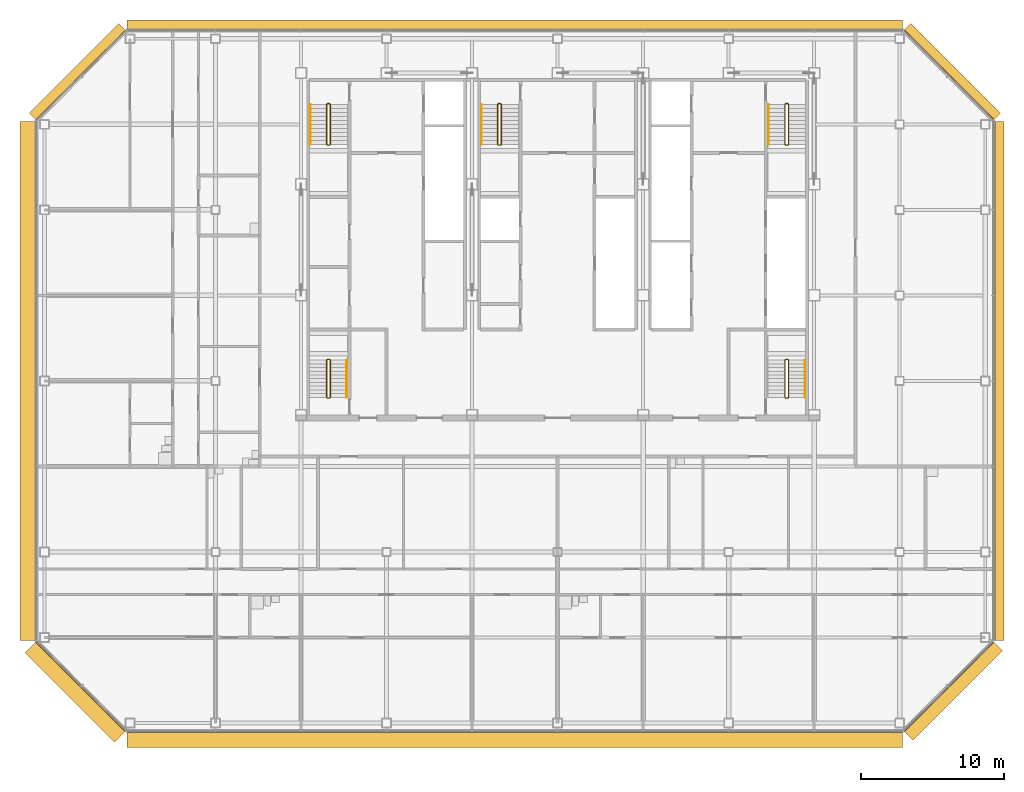
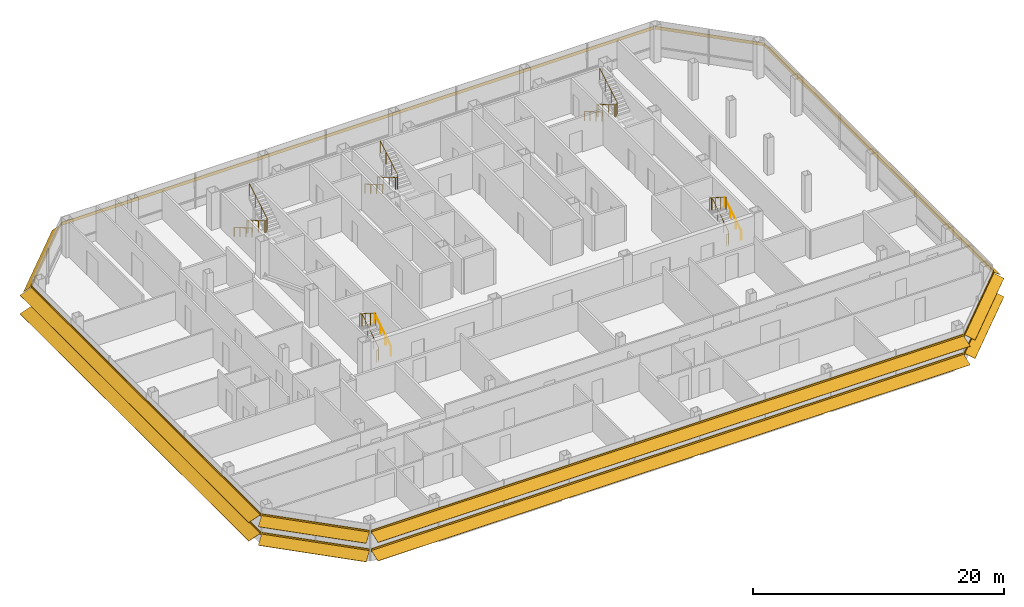
# One storey, part 25 of 26: 10 railings, 8 shading devices.
"""IFC4 building model written with IfcOpenShell, lengths in metres."""

from ifc_helpers import new_model, si_unit, direction, frame, origin, origin_2d, place, context, subcontext, project, spatial, polyline, circle, outline, composite_profile, extrude, material, type_object, element, save


model = new_model("IFC4")

# Units and contexts
model_context = context("Model", 3, precision=1e-05, world=origin(), true_north=direction((0.0, 1.0)))
body_context = subcontext(model_context, "Body", "Model", "MODEL_VIEW")
ifc_project = project(units=[si_unit("LENGTHUNIT", "METRE"), si_unit("AREAUNIT", "SQUARE_METRE"), si_unit("VOLUMEUNIT", "CUBIC_METRE"), si_unit("PLANEANGLEUNIT", "RADIAN"), si_unit("MASSUNIT", "GRAM", prefix="KILO")], contexts=[model_context])

# Site, building, storey
site_placement = place(None, origin())
site = spatial("IfcSite", under=ifc_project, at=site_placement, CompositionType="ELEMENT")
building_placement = place(site_placement, origin())
building = spatial("IfcBuilding", under=site, at=building_placement, Name="Sorahane Residences", CompositionType="ELEMENT")
storey_placement = place(building_placement, frame((0.0, 0.0, 219.0)))
storey = spatial("IfcBuildingStorey", under=building, at=storey_placement, Name="L51", CompositionType="ELEMENT", Elevation=219.0)

# Shading devices
ifc_material_1 = material(Name="Terracotta anodised aluminium", Category="masonry")
shading_device_type_1 = type_object("IfcShadingDeviceType", Name="Louvre sunshade blade E terracotta aluminium 700", PredefinedType="JALOUSIE", material=ifc_material_1)
shading_device_1_placement = place(storey_placement, frame((54.60009765625, 5.801513671875, 2.699951171875), z_axis=(0.0, 1.0, 0.0), x_axis=(-1.0, 0.0, 0.0)))
element("IfcShadingDevice", 1, at=shading_device_1_placement, inside=storey, type_object=shading_device_type_1, Name="Louvre sunshade blade bank E L51 E1", PredefinedType="JALOUSIE", context=body_context, shape_type="SweptSolid", body=[
    extrude(outline(polyline([(-0.719970703125, -0.49365234375), (-0.719970703125, -0.523681640625), (-0.080078125, -0.05859375), (-0.080078125, -0.14990234375), (-0.02001953125, -0.14990234375), (-0.02001953125, -0.014892578125), (-0.02001953125, 0.014892578125), (-0.02001953125, 0.14990234375), (-0.080078125, 0.14990234375), (-0.080078125, -0.028564453125), (-0.719970703125, -0.49365234375)])), origin(), (0.0, 0.0, 1.0), 36.39697265625),
])
ifc_material_2 = material(Name="Terracotta anodised aluminium", Category="masonry")
shading_device_type_2 = type_object("IfcShadingDeviceType", Name="Louvre sunshade blade N terracotta aluminium 700", PredefinedType="JALOUSIE", material=ifc_material_2)
shading_device_2_placement = place(storey_placement, frame((48.198486328125, 48.60009765625, 2.699951171875), z_axis=(-1.0, 0.0, 0.0), x_axis=(0.0, -1.0, 0.0)))
element("IfcShadingDevice", 2, at=shading_device_2_placement, inside=storey, type_object=shading_device_type_2, Name="Louvre sunshade blade bank N L51 N1", PredefinedType="JALOUSIE", context=body_context, shape_type="SweptSolid", body=[
    extrude(outline(polyline([(-0.719970703125, -0.660888671875), (-0.719970703125, -0.69091796875), (-0.080078125, -0.072998046875), (-0.080078125, -0.14990234375), (-0.02001953125, -0.14990234375), (-0.02001953125, -0.014892578125), (-0.02001953125, 0.014892578125), (-0.02001953125, 0.14990234375), (-0.080078125, 0.14990234375), (-0.080078125, -0.04296875), (-0.719970703125, -0.660888671875)])), origin(), (0.0, 0.0, 1.0), 54.39697265625),
])
ifc_material_3 = material(Name="Terracotta anodised aluminium", Category="masonry")
shading_device_type_3 = type_object("IfcShadingDeviceType", Name="Louvre sunshade blade NE terracotta aluminium 700", PredefinedType="JALOUSIE", material=ifc_material_3)
shading_device_3_placement = place(storey_placement, frame((54.564697265625, 42.283935546875, 2.699951171875), z_axis=(-0.707106781187, 0.707106781187, 0.0), x_axis=(-0.707106781187, -0.707106781187, 0.0)))
element("IfcShadingDevice", 3, at=shading_device_3_placement, inside=storey, type_object=shading_device_type_3, Name="Louvre sunshade blade bank NE L51 NE1", PredefinedType="JALOUSIE", context=body_context, shape_type="SweptSolid", body=[
    extrude(outline(polyline([(-0.719970703125, -0.572509765625), (-0.719970703125, -0.602294921875), (-0.080078125, -0.065185546875), (-0.080078125, -0.14990234375), (-0.02001953125, -0.14990234375), (-0.02001953125, -0.014892578125), (-0.02001953125, 0.014892578125), (-0.02001953125, 0.14990234375), (-0.080078125, 0.14990234375), (-0.080078125, -0.035400390625), (-0.719970703125, -0.572509765625)])), origin(), (0.0, 0.0, 1.0), 8.88232421875),
])
ifc_material_4 = material(Name="Terracotta anodised aluminium", Category="masonry")
shading_device_type_4 = type_object("IfcShadingDeviceType", Name="Louvre sunshade blade NW terracotta aluminium 700", PredefinedType="JALOUSIE", material=ifc_material_4)
shading_device_4_placement = place(storey_placement, frame((-6.283935546875, 48.564697265625, 2.699951171875), z_axis=(-0.707106781187, -0.707106781187, 0.0), x_axis=(0.707106781187, -0.707106781187, 0.0)))
element("IfcShadingDevice", 4, at=shading_device_4_placement, inside=storey, type_object=shading_device_type_4, Name="Louvre sunshade blade bank NW L51 NW1", PredefinedType="JALOUSIE", context=body_context, shape_type="SweptSolid", body=[
    extrude(outline(polyline([(-0.719970703125, -0.660888671875), (-0.719970703125, -0.69091796875), (-0.080078125, -0.072998046875), (-0.080078125, -0.14990234375), (-0.02001953125, -0.14990234375), (-0.02001953125, -0.014892578125), (-0.02001953125, 0.014892578125), (-0.02001953125, 0.14990234375), (-0.080078125, 0.14990234375), (-0.080078125, -0.04296875), (-0.719970703125, -0.660888671875)])), origin(), (0.0, 0.0, 1.0), 8.88232421875),
])
ifc_material_5 = material(Name="Terracotta anodised aluminium", Category="masonry")
shading_device_type_5 = type_object("IfcShadingDeviceType", Name="Louvre sunshade blade S terracotta aluminium 1100", PredefinedType="JALOUSIE", material=ifc_material_5)
shading_device_5_placement = place(storey_placement, frame((-6.198486328125, -0.60009765625, 0.89990234375), z_axis=(1.0, 0.0, 0.0), x_axis=(0.0, 1.0, 0.0)))
element("IfcShadingDevice", 5, at=shading_device_5_placement, inside=storey, type_object=shading_device_type_5, Name="Louvre sunshade blade bank S L51 S1", PredefinedType="JALOUSIE", context=body_context, shape_type="SweptSolid", body=[
    extrude(composite_profile([outline(polyline([(-1.1201171875, -0.385498046875), (-1.1201171875, -0.415283203125), (-0.080078125, -0.036865234375), (-0.080078125, -0.14990234375), (-0.02001953125, -0.14990234375), (-0.02001953125, -0.014892578125), (-0.02001953125, 0.014892578125), (-0.02001953125, 0.14990234375), (-0.080078125, 0.14990234375), (-0.080078125, -0.0068359375), (-1.1201171875, -0.385498046875)])), outline(polyline([(-1.1201171875, 1.41455078125), (-1.1201171875, 1.384521484375), (-0.080078125, 1.76318359375), (-0.080078125, 1.64990234375), (-0.02001953125, 1.64990234375), (-0.02001953125, 1.784912109375), (-0.02001953125, 1.81494140625), (-0.02001953125, 1.949951171875), (-0.080078125, 1.949951171875), (-0.080078125, 1.793212890625), (-1.1201171875, 1.41455078125)]))]), origin(), (0.0, 0.0, 1.0), 54.39697265625),
])
ifc_material_6 = material(Name="Terracotta anodised aluminium", Category="masonry")
shading_device_type_6 = type_object("IfcShadingDeviceType", Name="Louvre sunshade blade SE terracotta aluminium 900", PredefinedType="JALOUSIE", material=ifc_material_6)
shading_device_6_placement = place(storey_placement, frame((48.283935546875, -0.564697265625, 0.89990234375), z_axis=(0.707106781187, 0.707106781187, 0.0), x_axis=(-0.707106781187, 0.707106781187, 0.0)))
element("IfcShadingDevice", 6, at=shading_device_6_placement, inside=storey, type_object=shading_device_type_6, Name="Louvre sunshade blade bank SE L51 SE1", PredefinedType="JALOUSIE", context=body_context, shape_type="SweptSolid", body=[
    extrude(composite_profile([outline(polyline([(-0.919921875, -0.3486328125), (-0.919921875, -0.378662109375), (-0.080078125, -0.039306640625), (-0.080078125, -0.14990234375), (-0.02001953125, -0.14990234375), (-0.02001953125, -0.014892578125), (-0.02001953125, 0.014892578125), (-0.02001953125, 0.14990234375), (-0.080078125, 0.14990234375), (-0.080078125, -0.00927734375), (-0.919921875, -0.3486328125)])), outline(polyline([(-0.919921875, 1.451416015625), (-0.919921875, 1.42138671875), (-0.080078125, 1.7607421875), (-0.080078125, 1.64990234375), (-0.02001953125, 1.64990234375), (-0.02001953125, 1.784912109375), (-0.02001953125, 1.81494140625), (-0.02001953125, 1.949951171875), (-0.080078125, 1.949951171875), (-0.080078125, 1.790771484375), (-0.919921875, 1.451416015625)]))]), origin(), (0.0, 0.0, 1.0), 8.88232421875),
])
ifc_material_7 = material(Name="Terracotta anodised aluminium", Category="masonry")
shading_device_type_7 = type_object("IfcShadingDeviceType", Name="Louvre sunshade blade SW terracotta aluminium 1100", PredefinedType="JALOUSIE", material=ifc_material_7)
shading_device_7_placement = place(storey_placement, frame((-12.564697265625, 5.716064453125, 0.89990234375), z_axis=(0.707106781187, -0.707106781187, 0.0), x_axis=(0.707106781187, 0.707106781187, 0.0)))
element("IfcShadingDevice", 7, at=shading_device_7_placement, inside=storey, type_object=shading_device_type_7, Name="Louvre sunshade blade bank SW L51 SW1", PredefinedType="JALOUSIE", context=body_context, shape_type="SweptSolid", body=[
    extrude(composite_profile([outline(polyline([(-1.1201171875, -0.385498046875), (-1.1201171875, -0.415283203125), (-0.080078125, -0.036865234375), (-0.080078125, -0.14990234375), (-0.02001953125, -0.14990234375), (-0.02001953125, -0.014892578125), (-0.02001953125, 0.014892578125), (-0.02001953125, 0.14990234375), (-0.080078125, 0.14990234375), (-0.080078125, -0.0068359375), (-1.1201171875, -0.385498046875)])), outline(polyline([(-1.1201171875, 1.41455078125), (-1.1201171875, 1.384521484375), (-0.080078125, 1.76318359375), (-0.080078125, 1.64990234375), (-0.02001953125, 1.64990234375), (-0.02001953125, 1.784912109375), (-0.02001953125, 1.81494140625), (-0.02001953125, 1.949951171875), (-0.080078125, 1.949951171875), (-0.080078125, 1.793212890625), (-1.1201171875, 1.41455078125)]))]), origin(), (0.0, 0.0, 1.0), 8.88232421875),
])
ifc_material_8 = material(Name="Terracotta anodised aluminium", Category="masonry")
shading_device_type_8 = type_object("IfcShadingDeviceType", Name="Louvre sunshade blade W terracotta aluminium 1100", PredefinedType="JALOUSIE", material=ifc_material_8)
shading_device_8_placement = place(storey_placement, frame((-12.60009765625, 42.198486328125, 0.89990234375), z_axis=(0.0, -1.0, 0.0), x_axis=(1.0, 0.0, 0.0)))
element("IfcShadingDevice", 8, at=shading_device_8_placement, inside=storey, type_object=shading_device_type_8, Name="Louvre sunshade blade bank W L51 W1", PredefinedType="JALOUSIE", context=body_context, shape_type="SweptSolid", body=[
    extrude(composite_profile([outline(polyline([(-1.1201171875, -0.385498046875), (-1.1201171875, -0.415283203125), (-0.080078125, -0.036865234375), (-0.080078125, -0.14990234375), (-0.02001953125, -0.14990234375), (-0.02001953125, -0.014892578125), (-0.02001953125, 0.014892578125), (-0.02001953125, 0.14990234375), (-0.080078125, 0.14990234375), (-0.080078125, -0.0068359375), (-1.1201171875, -0.385498046875)])), outline(polyline([(-1.1201171875, 1.41455078125), (-1.1201171875, 1.384521484375), (-0.080078125, 1.76318359375), (-0.080078125, 1.64990234375), (-0.02001953125, 1.64990234375), (-0.02001953125, 1.784912109375), (-0.02001953125, 1.81494140625), (-0.02001953125, 1.949951171875), (-0.080078125, 1.949951171875), (-0.080078125, 1.793212890625), (-1.1201171875, 1.41455078125)]))]), origin(), (0.0, 0.0, 1.0), 36.39697265625),
])

# Railings
ifc_material_9 = material(Name="Steel Q355B", Category="steel")
railing_type_1 = type_object("IfcRailingType", Name="Stair guard 1200 Steel Q355B", PredefinedType="GUARDRAIL", material=ifc_material_9)
railing_1_placement = place(storey_placement, frame((8.0, 43.449951171875, 0.0)))
element("IfcRailing", 9, at=railing_1_placement, inside=storey, type_object=railing_type_1, Name="L51 S1 stair guard 1", PredefinedType="GUARDRAIL", context=body_context, shape_type="SweptSolid", body=[
    extrude(circle(Radius=0.02392578125, at=origin_2d()), frame((0.0, 0.0, 1.17578125), z_axis=(-1.0, 0.0, 0.0), x_axis=(0.0, -1.0, 0.0)), (0.0, 0.0, 1.0), 0.14990234375),
    extrude(circle(Radius=0.02392578125, at=origin_2d()), frame((-0.14990234375, 0.0, 1.17578125), z_axis=(-0.280808744504, -0.280808744504, 0.917765164963), x_axis=(0.707106781187, -0.707106781187, 0.0)), (0.0, 0.0, 1.0), 0.17822265625),
    extrude(circle(Radius=0.02392578125, at=origin_2d()), frame((-0.199951171875, -0.050048828125, 1.33935546875), z_axis=(0.0, -0.863341702679, 0.504619762213), x_axis=(1.0, 0.0, 0.0)), (0.0, 0.0, 1.0), 3.242919921875),
    extrude(circle(Radius=0.02392578125, at=origin_2d()), frame((-0.199951171875, -2.849853515625, 2.97607421875), z_axis=(0.707106781187, -0.707106781187, 0.0), x_axis=(0.707106781187, 0.707106781187, 0.0)), (0.0, 0.0, 1.0), 0.07080078125),
    extrude(circle(Radius=0.02392578125, at=origin_2d()), frame((-0.14990234375, -2.89990234375, 2.97607421875), z_axis=(1.0, 0.0, 0.0), x_axis=(0.0, 1.0, 0.0)), (0.0, 0.0, 1.0), 0.14990234375),
    extrude(circle(Radius=0.02392578125, at=origin_2d()), frame((0.0, -2.89990234375, 2.97607421875), z_axis=(0.280808744504, 0.280808744504, 0.917765164963), x_axis=(-0.707106781187, 0.707106781187, 0.0)), (0.0, 0.0, 1.0), 0.17822265625),
    extrude(circle(Radius=0.02392578125, at=origin_2d()), frame((0.050048828125, -2.849853515625, 3.1396484375), z_axis=(0.0, 0.863341702679, 0.504619762213), x_axis=(-1.0, 0.0, 0.0)), (0.0, 0.0, 1.0), 3.242919921875),
    extrude(circle(Radius=0.02099609375, at=origin_2d()), origin(), (0.0, 0.0, 1.0), 1.15185546875),
    extrude(circle(Radius=0.02099609375, at=origin_2d()), frame((-0.14990234375, 0.0, 0.0)), (0.0, 0.0, 1.0), 1.15185546875),
    extrude(circle(Radius=0.02099609375, at=origin_2d()), frame((-0.199951171875, -0.050048828125, 0.16357421875)), (0.0, 0.0, 1.0), 1.15185546875),
    extrude(circle(Radius=0.02099609375, at=origin_2d()), frame((-0.199951171875, -0.9833984375, 0.708984375)), (0.0, 0.0, 1.0), 1.15185546875),
    extrude(circle(Radius=0.02099609375, at=origin_2d()), frame((-0.199951171875, -1.91650390625, 1.254638671875)), (0.0, 0.0, 1.0), 1.15185546875),
    extrude(circle(Radius=0.02099609375, at=origin_2d()), frame((-0.199951171875, -2.849853515625, 1.800048828125)), (0.0, 0.0, 1.0), 1.15185546875),
    extrude(circle(Radius=0.02099609375, at=origin_2d()), frame((-0.14990234375, -2.89990234375, 1.800048828125)), (0.0, 0.0, 1.0), 1.15185546875),
    extrude(circle(Radius=0.02099609375, at=origin_2d()), frame((0.0, -2.89990234375, 1.800048828125)), (0.0, 0.0, 1.0), 1.15185546875),
    extrude(circle(Radius=0.02099609375, at=origin_2d()), frame((0.050048828125, -2.849853515625, 1.963623046875)), (0.0, 0.0, 1.0), 1.15185546875),
    extrude(circle(Radius=0.02099609375, at=origin_2d()), frame((0.050048828125, -1.91650390625, 2.509033203125)), (0.0, 0.0, 1.0), 1.15185546875),
    extrude(circle(Radius=0.02099609375, at=origin_2d()), frame((0.050048828125, -0.9833984375, 3.0546875)), (0.0, 0.0, 1.0), 1.15185546875),
    extrude(circle(Radius=0.02099609375, at=origin_2d()), frame((0.050048828125, -0.050048828125, 3.60009765625)), (0.0, 0.0, 1.0), 1.15185546875),
])
railing_2_placement = place(storey_placement, frame((40.14990234375, 43.449951171875, 0.0)))
element("IfcRailing", 10, at=railing_2_placement, inside=storey, type_object=railing_type_1, Name="L51 S2 stair guard 1", PredefinedType="GUARDRAIL", context=body_context, shape_type="SweptSolid", body=[
    extrude(circle(Radius=0.02392578125, at=origin_2d()), frame((0.0, 0.0, 1.17578125), z_axis=(-1.0, 0.0, 0.0), x_axis=(0.0, -1.0, 0.0)), (0.0, 0.0, 1.0), 0.14990234375),
    extrude(circle(Radius=0.02392578125, at=origin_2d()), frame((-0.14990234375, 0.0, 1.17578125), z_axis=(-0.280808744504, -0.280808744504, 0.917765164963), x_axis=(0.707106781187, -0.707106781187, 0.0)), (0.0, 0.0, 1.0), 0.17822265625),
    extrude(circle(Radius=0.02392578125, at=origin_2d()), frame((-0.199951171875, -0.050048828125, 1.33935546875), z_axis=(0.0, -0.863341702679, 0.504619762213), x_axis=(1.0, 0.0, 0.0)), (0.0, 0.0, 1.0), 3.242919921875),
    extrude(circle(Radius=0.02392578125, at=origin_2d()), frame((-0.199951171875, -2.849853515625, 2.97607421875), z_axis=(0.707106781187, -0.707106781187, 0.0), x_axis=(0.707106781187, 0.707106781187, 0.0)), (0.0, 0.0, 1.0), 0.07080078125),
    extrude(circle(Radius=0.02392578125, at=origin_2d()), frame((-0.14990234375, -2.89990234375, 2.97607421875), z_axis=(1.0, 0.0, 0.0), x_axis=(0.0, 1.0, 0.0)), (0.0, 0.0, 1.0), 0.14990234375),
    extrude(circle(Radius=0.02392578125, at=origin_2d()), frame((0.0, -2.89990234375, 2.97607421875), z_axis=(0.280808744504, 0.280808744504, 0.917765164963), x_axis=(-0.707106781187, 0.707106781187, 0.0)), (0.0, 0.0, 1.0), 0.17822265625),
    extrude(circle(Radius=0.02392578125, at=origin_2d()), frame((0.050048828125, -2.849853515625, 3.1396484375), z_axis=(0.0, 0.863341702679, 0.504619762213), x_axis=(-1.0, 0.0, 0.0)), (0.0, 0.0, 1.0), 3.242919921875),
    extrude(circle(Radius=0.02099609375, at=origin_2d()), origin(), (0.0, 0.0, 1.0), 1.15185546875),
    extrude(circle(Radius=0.02099609375, at=origin_2d()), frame((-0.14990234375, 0.0, 0.0)), (0.0, 0.0, 1.0), 1.15185546875),
    extrude(circle(Radius=0.02099609375, at=origin_2d()), frame((-0.199951171875, -0.050048828125, 0.16357421875)), (0.0, 0.0, 1.0), 1.15185546875),
    extrude(circle(Radius=0.02099609375, at=origin_2d()), frame((-0.199951171875, -0.9833984375, 0.708984375)), (0.0, 0.0, 1.0), 1.15185546875),
    extrude(circle(Radius=0.02099609375, at=origin_2d()), frame((-0.199951171875, -1.91650390625, 1.254638671875)), (0.0, 0.0, 1.0), 1.15185546875),
    extrude(circle(Radius=0.02099609375, at=origin_2d()), frame((-0.199951171875, -2.849853515625, 1.800048828125)), (0.0, 0.0, 1.0), 1.15185546875),
    extrude(circle(Radius=0.02099609375, at=origin_2d()), frame((-0.14990234375, -2.89990234375, 1.800048828125)), (0.0, 0.0, 1.0), 1.15185546875),
    extrude(circle(Radius=0.02099609375, at=origin_2d()), frame((0.0, -2.89990234375, 1.800048828125)), (0.0, 0.0, 1.0), 1.15185546875),
    extrude(circle(Radius=0.02099609375, at=origin_2d()), frame((0.050048828125, -2.849853515625, 1.963623046875)), (0.0, 0.0, 1.0), 1.15185546875),
    extrude(circle(Radius=0.02099609375, at=origin_2d()), frame((0.050048828125, -1.91650390625, 2.509033203125)), (0.0, 0.0, 1.0), 1.15185546875),
    extrude(circle(Radius=0.02099609375, at=origin_2d()), frame((0.050048828125, -0.9833984375, 3.0546875)), (0.0, 0.0, 1.0), 1.15185546875),
    extrude(circle(Radius=0.02099609375, at=origin_2d()), frame((0.050048828125, -0.050048828125, 3.60009765625)), (0.0, 0.0, 1.0), 1.15185546875),
])
railing_3_placement = place(storey_placement, frame((20.0, 43.449951171875, 0.0)))
element("IfcRailing", 11, at=railing_3_placement, inside=storey, type_object=railing_type_1, Name="L51 S3 stair guard 1", PredefinedType="GUARDRAIL", context=body_context, shape_type="SweptSolid", body=[
    extrude(circle(Radius=0.02392578125, at=origin_2d()), frame((0.0, 0.0, 1.17578125), z_axis=(-1.0, 0.0, 0.0), x_axis=(0.0, -1.0, 0.0)), (0.0, 0.0, 1.0), 0.14990234375),
    extrude(circle(Radius=0.02392578125, at=origin_2d()), frame((-0.14990234375, 0.0, 1.17578125), z_axis=(-0.280808744504, -0.280808744504, 0.917765164963), x_axis=(0.707106781187, -0.707106781187, 0.0)), (0.0, 0.0, 1.0), 0.17822265625),
    extrude(circle(Radius=0.02392578125, at=origin_2d()), frame((-0.199951171875, -0.050048828125, 1.33935546875), z_axis=(0.0, -0.863341702679, 0.504619762213), x_axis=(1.0, 0.0, 0.0)), (0.0, 0.0, 1.0), 3.242919921875),
    extrude(circle(Radius=0.02392578125, at=origin_2d()), frame((-0.199951171875, -2.849853515625, 2.97607421875), z_axis=(0.707106781187, -0.707106781187, 0.0), x_axis=(0.707106781187, 0.707106781187, 0.0)), (0.0, 0.0, 1.0), 0.07080078125),
    extrude(circle(Radius=0.02392578125, at=origin_2d()), frame((-0.14990234375, -2.89990234375, 2.97607421875), z_axis=(1.0, 0.0, 0.0), x_axis=(0.0, 1.0, 0.0)), (0.0, 0.0, 1.0), 0.14990234375),
    extrude(circle(Radius=0.02392578125, at=origin_2d()), frame((0.0, -2.89990234375, 2.97607421875), z_axis=(0.280808744504, 0.280808744504, 0.917765164963), x_axis=(-0.707106781187, 0.707106781187, 0.0)), (0.0, 0.0, 1.0), 0.17822265625),
    extrude(circle(Radius=0.02392578125, at=origin_2d()), frame((0.050048828125, -2.849853515625, 3.1396484375), z_axis=(0.0, 0.863341702679, 0.504619762213), x_axis=(-1.0, 0.0, 0.0)), (0.0, 0.0, 1.0), 3.242919921875),
    extrude(circle(Radius=0.02099609375, at=origin_2d()), origin(), (0.0, 0.0, 1.0), 1.15185546875),
    extrude(circle(Radius=0.02099609375, at=origin_2d()), frame((-0.14990234375, 0.0, 0.0)), (0.0, 0.0, 1.0), 1.15185546875),
    extrude(circle(Radius=0.02099609375, at=origin_2d()), frame((-0.199951171875, -0.050048828125, 0.16357421875)), (0.0, 0.0, 1.0), 1.15185546875),
    extrude(circle(Radius=0.02099609375, at=origin_2d()), frame((-0.199951171875, -0.9833984375, 0.708984375)), (0.0, 0.0, 1.0), 1.15185546875),
    extrude(circle(Radius=0.02099609375, at=origin_2d()), frame((-0.199951171875, -1.91650390625, 1.254638671875)), (0.0, 0.0, 1.0), 1.15185546875),
    extrude(circle(Radius=0.02099609375, at=origin_2d()), frame((-0.199951171875, -2.849853515625, 1.800048828125)), (0.0, 0.0, 1.0), 1.15185546875),
    extrude(circle(Radius=0.02099609375, at=origin_2d()), frame((-0.14990234375, -2.89990234375, 1.800048828125)), (0.0, 0.0, 1.0), 1.15185546875),
    extrude(circle(Radius=0.02099609375, at=origin_2d()), frame((0.0, -2.89990234375, 1.800048828125)), (0.0, 0.0, 1.0), 1.15185546875),
    extrude(circle(Radius=0.02099609375, at=origin_2d()), frame((0.050048828125, -2.849853515625, 1.963623046875)), (0.0, 0.0, 1.0), 1.15185546875),
    extrude(circle(Radius=0.02099609375, at=origin_2d()), frame((0.050048828125, -1.91650390625, 2.509033203125)), (0.0, 0.0, 1.0), 1.15185546875),
    extrude(circle(Radius=0.02099609375, at=origin_2d()), frame((0.050048828125, -0.9833984375, 3.0546875)), (0.0, 0.0, 1.0), 1.15185546875),
    extrude(circle(Radius=0.02099609375, at=origin_2d()), frame((0.050048828125, -0.050048828125, 3.60009765625)), (0.0, 0.0, 1.0), 1.15185546875),
])
railing_4_placement = place(storey_placement, frame((7.85009765625, 22.800048828125, 0.0)))
element("IfcRailing", 12, at=railing_4_placement, inside=storey, type_object=railing_type_1, Name="L51 S4 stair guard 1", PredefinedType="GUARDRAIL", context=body_context, shape_type="SweptSolid", body=[
    extrude(circle(Radius=0.02392578125, at=origin_2d()), frame((0.0, 0.0, 1.17578125), z_axis=(1.0, 0.0, 0.0), x_axis=(0.0, 1.0, 0.0)), (0.0, 0.0, 1.0), 0.14990234375),
    extrude(circle(Radius=0.02392578125, at=origin_2d()), frame((0.14990234375, 0.0, 1.17578125), z_axis=(0.280808744504, 0.280808744504, 0.917765164963), x_axis=(-0.707106781187, 0.707106781187, 0.0)), (0.0, 0.0, 1.0), 0.17822265625),
    extrude(circle(Radius=0.02392578125, at=origin_2d()), frame((0.199951171875, 0.050048828125, 1.33935546875), z_axis=(0.0, 0.846301844409, 0.532703658848), x_axis=(-1.0, 0.0, 0.0)), (0.0, 0.0, 1.0), 3.072021484375),
    extrude(circle(Radius=0.02392578125, at=origin_2d()), frame((0.199951171875, 2.64990234375, 2.97607421875), z_axis=(-0.707106781187, 0.707106781187, 0.0), x_axis=(-0.707106781187, -0.707106781187, 0.0)), (0.0, 0.0, 1.0), 0.07080078125),
    extrude(circle(Radius=0.02392578125, at=origin_2d()), frame((0.14990234375, 2.699951171875, 2.97607421875), z_axis=(-1.0, 0.0, 0.0), x_axis=(0.0, -1.0, 0.0)), (0.0, 0.0, 1.0), 0.14990234375),
    extrude(circle(Radius=0.02392578125, at=origin_2d()), frame((0.0, 2.699951171875, 2.97607421875), z_axis=(-0.280808744504, -0.280808744504, 0.917765164963), x_axis=(0.707106781187, -0.707106781187, 0.0)), (0.0, 0.0, 1.0), 0.17822265625),
    extrude(circle(Radius=0.02392578125, at=origin_2d()), frame((-0.050048828125, 2.64990234375, 3.1396484375), z_axis=(0.0, -0.846301844409, 0.532703658848), x_axis=(1.0, 0.0, 0.0)), (0.0, 0.0, 1.0), 3.072021484375),
    extrude(circle(Radius=0.02099609375, at=origin_2d()), origin(), (0.0, 0.0, 1.0), 1.15185546875),
    extrude(circle(Radius=0.02099609375, at=origin_2d()), frame((0.14990234375, 0.0, 0.0)), (0.0, 0.0, 1.0), 1.15185546875),
    extrude(circle(Radius=0.02099609375, at=origin_2d()), frame((0.199951171875, 0.050048828125, 0.16357421875)), (0.0, 0.0, 1.0), 1.15185546875),
    extrude(circle(Radius=0.02099609375, at=origin_2d()), frame((0.199951171875, 0.916748046875, 0.708984375)), (0.0, 0.0, 1.0), 1.15185546875),
    extrude(circle(Radius=0.02099609375, at=origin_2d()), frame((0.199951171875, 1.783203125, 1.254638671875)), (0.0, 0.0, 1.0), 1.15185546875),
    extrude(circle(Radius=0.02099609375, at=origin_2d()), frame((0.199951171875, 2.64990234375, 1.800048828125)), (0.0, 0.0, 1.0), 1.15185546875),
    extrude(circle(Radius=0.02099609375, at=origin_2d()), frame((0.14990234375, 2.699951171875, 1.800048828125)), (0.0, 0.0, 1.0), 1.15185546875),
    extrude(circle(Radius=0.02099609375, at=origin_2d()), frame((0.0, 2.699951171875, 1.800048828125)), (0.0, 0.0, 1.0), 1.15185546875),
    extrude(circle(Radius=0.02099609375, at=origin_2d()), frame((-0.050048828125, 2.64990234375, 1.963623046875)), (0.0, 0.0, 1.0), 1.15185546875),
    extrude(circle(Radius=0.02099609375, at=origin_2d()), frame((-0.050048828125, 1.783203125, 2.509033203125)), (0.0, 0.0, 1.0), 1.15185546875),
    extrude(circle(Radius=0.02099609375, at=origin_2d()), frame((-0.050048828125, 0.916748046875, 3.0546875)), (0.0, 0.0, 1.0), 1.15185546875),
    extrude(circle(Radius=0.02099609375, at=origin_2d()), frame((-0.050048828125, 0.050048828125, 3.60009765625)), (0.0, 0.0, 1.0), 1.15185546875),
])
railing_5_placement = place(storey_placement, frame((40.0, 22.800048828125, 0.0)))
element("IfcRailing", 13, at=railing_5_placement, inside=storey, type_object=railing_type_1, Name="L51 S5 stair guard 1", PredefinedType="GUARDRAIL", context=body_context, shape_type="SweptSolid", body=[
    extrude(circle(Radius=0.02392578125, at=origin_2d()), frame((0.0, 0.0, 1.17578125), z_axis=(1.0, 0.0, 0.0), x_axis=(0.0, 1.0, 0.0)), (0.0, 0.0, 1.0), 0.14990234375),
    extrude(circle(Radius=0.02392578125, at=origin_2d()), frame((0.14990234375, 0.0, 1.17578125), z_axis=(0.280808744504, 0.280808744504, 0.917765164963), x_axis=(-0.707106781187, 0.707106781187, 0.0)), (0.0, 0.0, 1.0), 0.17822265625),
    extrude(circle(Radius=0.02392578125, at=origin_2d()), frame((0.199951171875, 0.050048828125, 1.33935546875), z_axis=(0.0, 0.846301844409, 0.532703658848), x_axis=(-1.0, 0.0, 0.0)), (0.0, 0.0, 1.0), 3.072021484375),
    extrude(circle(Radius=0.02392578125, at=origin_2d()), frame((0.199951171875, 2.64990234375, 2.97607421875), z_axis=(-0.707106781187, 0.707106781187, 0.0), x_axis=(-0.707106781187, -0.707106781187, 0.0)), (0.0, 0.0, 1.0), 0.07080078125),
    extrude(circle(Radius=0.02392578125, at=origin_2d()), frame((0.14990234375, 2.699951171875, 2.97607421875), z_axis=(-1.0, 0.0, 0.0), x_axis=(0.0, -1.0, 0.0)), (0.0, 0.0, 1.0), 0.14990234375),
    extrude(circle(Radius=0.02392578125, at=origin_2d()), frame((0.0, 2.699951171875, 2.97607421875), z_axis=(-0.280808744504, -0.280808744504, 0.917765164963), x_axis=(0.707106781187, -0.707106781187, 0.0)), (0.0, 0.0, 1.0), 0.17822265625),
    extrude(circle(Radius=0.02392578125, at=origin_2d()), frame((-0.050048828125, 2.64990234375, 3.1396484375), z_axis=(0.0, -0.846301844409, 0.532703658848), x_axis=(1.0, 0.0, 0.0)), (0.0, 0.0, 1.0), 3.072021484375),
    extrude(circle(Radius=0.02099609375, at=origin_2d()), origin(), (0.0, 0.0, 1.0), 1.15185546875),
    extrude(circle(Radius=0.02099609375, at=origin_2d()), frame((0.14990234375, 0.0, 0.0)), (0.0, 0.0, 1.0), 1.15185546875),
    extrude(circle(Radius=0.02099609375, at=origin_2d()), frame((0.199951171875, 0.050048828125, 0.16357421875)), (0.0, 0.0, 1.0), 1.15185546875),
    extrude(circle(Radius=0.02099609375, at=origin_2d()), frame((0.199951171875, 0.916748046875, 0.708984375)), (0.0, 0.0, 1.0), 1.15185546875),
    extrude(circle(Radius=0.02099609375, at=origin_2d()), frame((0.199951171875, 1.783203125, 1.254638671875)), (0.0, 0.0, 1.0), 1.15185546875),
    extrude(circle(Radius=0.02099609375, at=origin_2d()), frame((0.199951171875, 2.64990234375, 1.800048828125)), (0.0, 0.0, 1.0), 1.15185546875),
    extrude(circle(Radius=0.02099609375, at=origin_2d()), frame((0.14990234375, 2.699951171875, 1.800048828125)), (0.0, 0.0, 1.0), 1.15185546875),
    extrude(circle(Radius=0.02099609375, at=origin_2d()), frame((0.0, 2.699951171875, 1.800048828125)), (0.0, 0.0, 1.0), 1.15185546875),
    extrude(circle(Radius=0.02099609375, at=origin_2d()), frame((-0.050048828125, 2.64990234375, 1.963623046875)), (0.0, 0.0, 1.0), 1.15185546875),
    extrude(circle(Radius=0.02099609375, at=origin_2d()), frame((-0.050048828125, 1.783203125, 2.509033203125)), (0.0, 0.0, 1.0), 1.15185546875),
    extrude(circle(Radius=0.02099609375, at=origin_2d()), frame((-0.050048828125, 0.916748046875, 3.0546875)), (0.0, 0.0, 1.0), 1.15185546875),
    extrude(circle(Radius=0.02099609375, at=origin_2d()), frame((-0.050048828125, 0.050048828125, 3.60009765625)), (0.0, 0.0, 1.0), 1.15185546875),
])
ifc_material_10 = material(Name="Steel Q355B", Category="steel")
railing_type_2 = type_object("IfcRailingType", Name="Stair handrail 900 Steel Q355B", PredefinedType="HANDRAIL", material=ifc_material_10)
for number, where, name in (
    (14, (6.64990234375, 43.39990234375, 0.16357421875), "L51 S1 stair handrail 1"),
    (15, (38.800048828125, 43.39990234375, 0.16357421875), "L51 S2 stair handrail 1"),
    (16, (18.64990234375, 43.39990234375, 0.16357421875), "L51 S3 stair handrail 1"),
):
    element("IfcRailing", number, at=place(storey_placement, frame(where)), inside=storey, type_object=railing_type_2, Name=name, PredefinedType="HANDRAIL", context=body_context, shape_type="SweptSolid", body=[
        extrude(circle(Radius=0.02392578125, at=origin_2d()), frame((0.0, 0.0, 0.8759765625), z_axis=(0.0, -0.863341702679, 0.504619762213), x_axis=(1.0, 0.0, 0.0)), (0.0, 0.0, 1.0), 3.242919921875),
        extrude(circle(Radius=0.02099609375, at=origin_2d()), origin(), (0.0, 0.0, 1.0), 0.851806640625),
        extrude(circle(Radius=0.02099609375, at=origin_2d()), frame((0.0, -0.933349609375, 0.54541015625)), (0.0, 0.0, 1.0), 0.851806640625),
        extrude(circle(Radius=0.02099609375, at=origin_2d()), frame((0.0, -1.866455078125, 1.091064453125)), (0.0, 0.0, 1.0), 0.851806640625),
        extrude(circle(Radius=0.02099609375, at=origin_2d()), frame((0.0, -2.7998046875, 1.636474609375)), (0.0, 0.0, 1.0), 0.851806640625),
    ])
for number, where, name in (
    (17, (9.199951171875, 22.85009765625, 0.16357421875), "L51 S4 stair handrail 1"),
    (18, (41.35009765625, 22.85009765625, 0.16357421875), "L51 S5 stair handrail 1"),
):
    element("IfcRailing", number, at=place(storey_placement, frame(where)), inside=storey, type_object=railing_type_2, Name=name, PredefinedType="HANDRAIL", context=body_context, shape_type="SweptSolid", body=[
        extrude(circle(Radius=0.02392578125, at=origin_2d()), frame((0.0, 0.0, 0.8759765625), z_axis=(0.0, 0.846301844409, 0.532703658848), x_axis=(-1.0, 0.0, 0.0)), (0.0, 0.0, 1.0), 3.072021484375),
        extrude(circle(Radius=0.02099609375, at=origin_2d()), origin(), (0.0, 0.0, 1.0), 0.851806640625),
        extrude(circle(Radius=0.02099609375, at=origin_2d()), frame((0.0, 0.86669921875, 0.54541015625)), (0.0, 0.0, 1.0), 0.851806640625),
        extrude(circle(Radius=0.02099609375, at=origin_2d()), frame((0.0, 1.733154296875, 1.091064453125)), (0.0, 0.0, 1.0), 0.851806640625),
        extrude(circle(Radius=0.02099609375, at=origin_2d()), frame((0.0, 2.599853515625, 1.636474609375)), (0.0, 0.0, 1.0), 0.851806640625),
    ])

save(model, "model.ifc")
